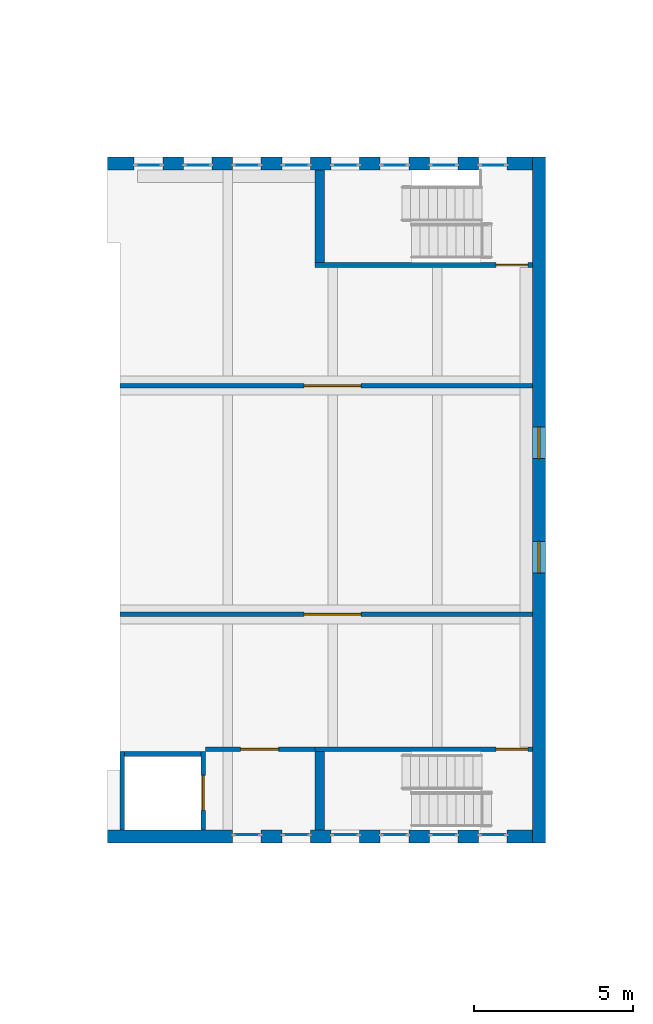
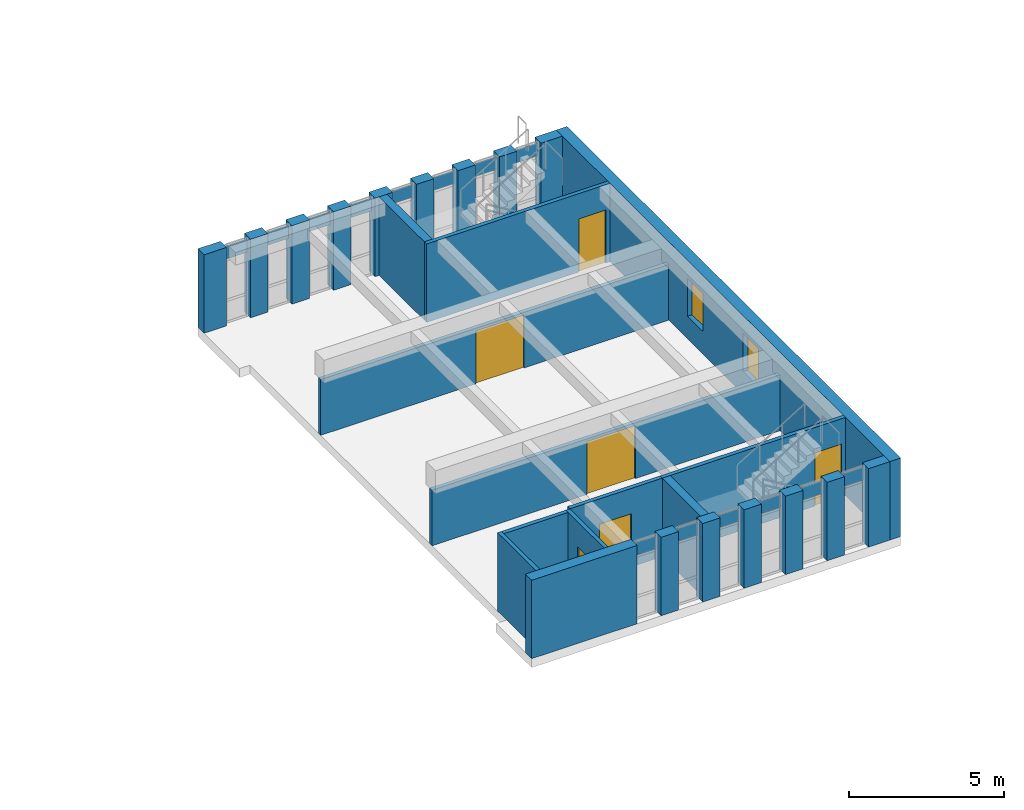
# One storey, part 14 of 19: 27 walls, 14 plates, 6 doors, 2 windows, 8 openings, 14 elements without a shape of their own.
"""IFC4 building model written with IfcOpenShell, lengths in metres."""

from ifc_helpers import new_model, si_unit, direction, frame, frame_2d, origin, origin_2d, place, context, subcontext, project, spatial, rectangle, extrude, material, layer, layer_set, type_object, element, fill, aggregate, save


model = new_model("IFC4")

# Units and contexts
model_context = context("Model", 3, precision=1e-05, world=origin(), true_north=direction((0.0, 1.0)))
body_context = subcontext(model_context, "Body", "Model", "MODEL_VIEW")
ifc_project = project(units=[si_unit("LENGTHUNIT", "METRE"), si_unit("AREAUNIT", "SQUARE_METRE"), si_unit("VOLUMEUNIT", "CUBIC_METRE"), si_unit("PLANEANGLEUNIT", "RADIAN"), si_unit("MASSUNIT", "GRAM", prefix="KILO")], contexts=[model_context])

# Site, building, storey
site_placement = place(None, origin())
site = spatial("IfcSite", under=ifc_project, at=site_placement, CompositionType="ELEMENT")
building_placement = place(site_placement, origin())
building = spatial("IfcBuilding", under=site, at=building_placement, Name="Vermilion Court Aquatics Centre", CompositionType="ELEMENT")
storey_placement = place(building_placement, frame((0.0, 0.0, 19.89990234375)))
storey = spatial("IfcBuildingStorey", under=building, at=storey_placement, Name="L04", CompositionType="ELEMENT", Elevation=19.89990234375)

# Curtain wall, plate
ifc_material_1 = material(Name="Aluminium 6063-T5", Category="aluminium")
curtain_wall_type = type_object("IfcCurtainWallType", Name="Diving Tower slot curtain wall 900 module", PredefinedType="NOTDEFINED", material=ifc_material_1)
curtain_wall_1_placement = place(storey_placement, origin())
curtain_wall_1 = element("IfcCurtainWall", 1, at=curtain_wall_1_placement, inside=storey, type_object=curtain_wall_type, Name="Diving Tower slot window north 1 L04", PredefinedType="NOTDEFINED")
ifc_material_2 = material(Name="Glazing", Category="glass")
ifc_layer_1 = layer(ifc_material_2, 0.02392578125)
ifc_layer_set_1 = layer_set([ifc_layer_1], Name="Diving Tower slot glazing panel 24")
plate_type = type_object("IfcPlateType", Name="Diving Tower slot glazing panel 24", PredefinedType="CURTAIN_PANEL", material=ifc_layer_set_1)
plate_1_placement = place(storey_placement, frame((145.39990234375, 57.35009765625, 2.5302734375), z_axis=(0.0, 0.0, 1.0), x_axis=(1.0, 0.0, 0.0)))
plate_1 = element("IfcPlate", 2, at=plate_1_placement, type_object=plate_type, Name="UCW3 panel 1.3", PredefinedType="CURTAIN_PANEL", context=body_context, shape_type="SweptSolid", body=[
    extrude(rectangle(XDim=0.780029296875, YDim=0.028076171875, at=origin_2d()), origin(), (0.0, 0.0, 1.0), 0.510009765625),
])
aggregate(curtain_wall_1, [plate_1])

curtain_wall_2_placement = place(storey_placement, origin())
curtain_wall_2 = element("IfcCurtainWall", 3, at=curtain_wall_2_placement, inside=storey, type_object=curtain_wall_type, Name="Diving Tower slot window north 2 L04", PredefinedType="NOTDEFINED")
plate_2_placement = place(storey_placement, frame((146.949951171875, 57.35009765625, 2.5302734375), z_axis=(0.0, 0.0, 1.0), x_axis=(1.0, 0.0, 0.0)))
plate_2 = element("IfcPlate", 4, at=plate_2_placement, type_object=plate_type, Name="UCW3 panel 1.3", PredefinedType="CURTAIN_PANEL", context=body_context, shape_type="SweptSolid", body=[
    extrude(rectangle(XDim=0.780029296875, YDim=0.028076171875, at=origin_2d()), origin(), (0.0, 0.0, 1.0), 0.510009765625),
])
aggregate(curtain_wall_2, [plate_2])

curtain_wall_3_placement = place(storey_placement, origin())
curtain_wall_3 = element("IfcCurtainWall", 5, at=curtain_wall_3_placement, inside=storey, type_object=curtain_wall_type, Name="Diving Tower slot window north 3 L04", PredefinedType="NOTDEFINED")
plate_3_placement = place(storey_placement, frame((148.5, 57.35009765625, 2.5302734375), z_axis=(0.0, 0.0, 1.0), x_axis=(1.0, 0.0, 0.0)))
plate_3 = element("IfcPlate", 6, at=plate_3_placement, type_object=plate_type, Name="UCW3 panel 1.3", PredefinedType="CURTAIN_PANEL", context=body_context, shape_type="SweptSolid", body=[
    extrude(rectangle(XDim=0.780029296875, YDim=0.028076171875, at=origin_2d()), origin(), (0.0, 0.0, 1.0), 0.510009765625),
])
aggregate(curtain_wall_3, [plate_3])

curtain_wall_4_placement = place(storey_placement, origin())
curtain_wall_4 = element("IfcCurtainWall", 7, at=curtain_wall_4_placement, inside=storey, type_object=curtain_wall_type, Name="Diving Tower slot window north 4 L04", PredefinedType="NOTDEFINED")
plate_4_placement = place(storey_placement, frame((150.050048828125, 57.35009765625, 2.5302734375), z_axis=(0.0, 0.0, 1.0), x_axis=(1.0, 0.0, 0.0)))
plate_4 = element("IfcPlate", 8, at=plate_4_placement, type_object=plate_type, Name="UCW3 panel 1.3", PredefinedType="CURTAIN_PANEL", context=body_context, shape_type="SweptSolid", body=[
    extrude(rectangle(XDim=0.780029296875, YDim=0.028076171875, at=origin_2d()), origin(), (0.0, 0.0, 1.0), 0.510009765625),
])
aggregate(curtain_wall_4, [plate_4])

curtain_wall_5_placement = place(storey_placement, origin())
curtain_wall_5 = element("IfcCurtainWall", 9, at=curtain_wall_5_placement, inside=storey, type_object=curtain_wall_type, Name="Diving Tower slot window north 5 L04", PredefinedType="NOTDEFINED")
plate_5_placement = place(storey_placement, frame((151.60009765625, 57.35009765625, 2.5302734375), z_axis=(0.0, 0.0, 1.0), x_axis=(1.0, 0.0, 0.0)))
plate_5 = element("IfcPlate", 10, at=plate_5_placement, type_object=plate_type, Name="UCW3 panel 1.3", PredefinedType="CURTAIN_PANEL", context=body_context, shape_type="SweptSolid", body=[
    extrude(rectangle(XDim=0.780029296875, YDim=0.028076171875, at=origin_2d()), origin(), (0.0, 0.0, 1.0), 0.510009765625),
])
aggregate(curtain_wall_5, [plate_5])

curtain_wall_6_placement = place(storey_placement, origin())
curtain_wall_6 = element("IfcCurtainWall", 11, at=curtain_wall_6_placement, inside=storey, type_object=curtain_wall_type, Name="Diving Tower slot window north 6 L04", PredefinedType="NOTDEFINED")
plate_6_placement = place(storey_placement, frame((153.14990234375, 57.35009765625, 2.5302734375), z_axis=(0.0, 0.0, 1.0), x_axis=(1.0, 0.0, 0.0)))
plate_6 = element("IfcPlate", 12, at=plate_6_placement, type_object=plate_type, Name="UCW3 panel 1.3", PredefinedType="CURTAIN_PANEL", context=body_context, shape_type="SweptSolid", body=[
    extrude(rectangle(XDim=0.780029296875, YDim=0.028076171875, at=origin_2d()), origin(), (0.0, 0.0, 1.0), 0.510009765625),
])
aggregate(curtain_wall_6, [plate_6])

curtain_wall_7_placement = place(storey_placement, origin())
curtain_wall_7 = element("IfcCurtainWall", 13, at=curtain_wall_7_placement, inside=storey, type_object=curtain_wall_type, Name="Diving Tower slot window north 7 L04", PredefinedType="NOTDEFINED")
plate_7_placement = place(storey_placement, frame((154.699951171875, 57.35009765625, 2.5302734375), z_axis=(0.0, 0.0, 1.0), x_axis=(1.0, 0.0, 0.0)))
plate_7 = element("IfcPlate", 14, at=plate_7_placement, type_object=plate_type, Name="UCW3 panel 1.3", PredefinedType="CURTAIN_PANEL", context=body_context, shape_type="SweptSolid", body=[
    extrude(rectangle(XDim=0.780029296875, YDim=0.028076171875, at=origin_2d()), origin(), (0.0, 0.0, 1.0), 0.510009765625),
])
aggregate(curtain_wall_7, [plate_7])

curtain_wall_8_placement = place(storey_placement, origin())
curtain_wall_8 = element("IfcCurtainWall", 15, at=curtain_wall_8_placement, inside=storey, type_object=curtain_wall_type, Name="Diving Tower slot window north 8 L04", PredefinedType="NOTDEFINED")
plate_8_placement = place(storey_placement, frame((156.25, 57.35009765625, 2.5302734375), z_axis=(0.0, 0.0, 1.0), x_axis=(1.0, 0.0, 0.0)))
plate_8 = element("IfcPlate", 16, at=plate_8_placement, type_object=plate_type, Name="UCW3 panel 1.3", PredefinedType="CURTAIN_PANEL", context=body_context, shape_type="SweptSolid", body=[
    extrude(rectangle(XDim=0.780029296875, YDim=0.028076171875, at=origin_2d()), origin(), (0.0, 0.0, 1.0), 0.510009765625),
])
aggregate(curtain_wall_8, [plate_8])

curtain_wall_9_placement = place(storey_placement, origin())
curtain_wall_9 = element("IfcCurtainWall", 17, at=curtain_wall_9_placement, inside=storey, type_object=curtain_wall_type, Name="Diving Tower slot window south 1 L04", PredefinedType="NOTDEFINED")
plate_9_placement = place(storey_placement, frame((148.5, 36.25, 2.5302734375), z_axis=(0.0, 0.0, 1.0), x_axis=(1.0, 0.0, 0.0)))
plate_9 = element("IfcPlate", 18, at=plate_9_placement, type_object=plate_type, Name="UCW3 panel 1.3", PredefinedType="CURTAIN_PANEL", context=body_context, shape_type="SweptSolid", body=[
    extrude(rectangle(XDim=0.780029296875, YDim=0.028076171875, at=origin_2d()), origin(), (0.0, 0.0, 1.0), 0.510009765625),
])
aggregate(curtain_wall_9, [plate_9])

curtain_wall_10_placement = place(storey_placement, origin())
curtain_wall_10 = element("IfcCurtainWall", 19, at=curtain_wall_10_placement, inside=storey, type_object=curtain_wall_type, Name="Diving Tower slot window south 2 L04", PredefinedType="NOTDEFINED")
plate_10_placement = place(storey_placement, frame((150.050048828125, 36.25, 2.5302734375), z_axis=(0.0, 0.0, 1.0), x_axis=(1.0, 0.0, 0.0)))
plate_10 = element("IfcPlate", 20, at=plate_10_placement, type_object=plate_type, Name="UCW3 panel 1.3", PredefinedType="CURTAIN_PANEL", context=body_context, shape_type="SweptSolid", body=[
    extrude(rectangle(XDim=0.780029296875, YDim=0.028076171875, at=origin_2d()), origin(), (0.0, 0.0, 1.0), 0.510009765625),
])
aggregate(curtain_wall_10, [plate_10])

curtain_wall_11_placement = place(storey_placement, origin())
curtain_wall_11 = element("IfcCurtainWall", 21, at=curtain_wall_11_placement, inside=storey, type_object=curtain_wall_type, Name="Diving Tower slot window south 3 L04", PredefinedType="NOTDEFINED")
plate_11_placement = place(storey_placement, frame((151.60009765625, 36.25, 2.5302734375), z_axis=(0.0, 0.0, 1.0), x_axis=(1.0, 0.0, 0.0)))
plate_11 = element("IfcPlate", 22, at=plate_11_placement, type_object=plate_type, Name="UCW3 panel 1.3", PredefinedType="CURTAIN_PANEL", context=body_context, shape_type="SweptSolid", body=[
    extrude(rectangle(XDim=0.780029296875, YDim=0.028076171875, at=origin_2d()), origin(), (0.0, 0.0, 1.0), 0.510009765625),
])
aggregate(curtain_wall_11, [plate_11])

curtain_wall_12_placement = place(storey_placement, origin())
curtain_wall_12 = element("IfcCurtainWall", 23, at=curtain_wall_12_placement, inside=storey, type_object=curtain_wall_type, Name="Diving Tower slot window south 4 L04", PredefinedType="NOTDEFINED")
plate_12_placement = place(storey_placement, frame((153.14990234375, 36.25, 2.5302734375), z_axis=(0.0, 0.0, 1.0), x_axis=(1.0, 0.0, 0.0)))
plate_12 = element("IfcPlate", 24, at=plate_12_placement, type_object=plate_type, Name="UCW3 panel 1.3", PredefinedType="CURTAIN_PANEL", context=body_context, shape_type="SweptSolid", body=[
    extrude(rectangle(XDim=0.780029296875, YDim=0.028076171875, at=origin_2d()), origin(), (0.0, 0.0, 1.0), 0.510009765625),
])
aggregate(curtain_wall_12, [plate_12])

curtain_wall_13_placement = place(storey_placement, origin())
curtain_wall_13 = element("IfcCurtainWall", 25, at=curtain_wall_13_placement, inside=storey, type_object=curtain_wall_type, Name="Diving Tower slot window south 5 L04", PredefinedType="NOTDEFINED")
plate_13_placement = place(storey_placement, frame((154.699951171875, 36.25, 2.5302734375), z_axis=(0.0, 0.0, 1.0), x_axis=(1.0, 0.0, 0.0)))
plate_13 = element("IfcPlate", 26, at=plate_13_placement, type_object=plate_type, Name="UCW3 panel 1.3", PredefinedType="CURTAIN_PANEL", context=body_context, shape_type="SweptSolid", body=[
    extrude(rectangle(XDim=0.780029296875, YDim=0.028076171875, at=origin_2d()), origin(), (0.0, 0.0, 1.0), 0.510009765625),
])
aggregate(curtain_wall_13, [plate_13])

curtain_wall_14_placement = place(storey_placement, origin())
curtain_wall_14 = element("IfcCurtainWall", 27, at=curtain_wall_14_placement, inside=storey, type_object=curtain_wall_type, Name="Diving Tower slot window south 6 L04", PredefinedType="NOTDEFINED")
plate_14_placement = place(storey_placement, frame((156.25, 36.25, 2.5302734375), z_axis=(0.0, 0.0, 1.0), x_axis=(1.0, 0.0, 0.0)))
plate_14 = element("IfcPlate", 28, at=plate_14_placement, type_object=plate_type, Name="UCW3 panel 1.3", PredefinedType="CURTAIN_PANEL", context=body_context, shape_type="SweptSolid", body=[
    extrude(rectangle(XDim=0.780029296875, YDim=0.028076171875, at=origin_2d()), origin(), (0.0, 0.0, 1.0), 0.510009765625),
])
aggregate(curtain_wall_14, [plate_14])

# Wall
ifc_material_3 = material(Name="Concrete 5000 psi", Category="concrete")
ifc_layer_2 = layer(ifc_material_3, 0.14990234375)
ifc_layer_set_2 = layer_set([ifc_layer_2], Name="Diving Tower lift shaft wall 150")
wall_type_1 = type_object("IfcWallType", Name="Diving Tower lift shaft wall 150", PredefinedType="PARTITIONING", material=ifc_layer_set_2)
wall_1_placement = place(storey_placement, frame((144.574951171875, 36.39990234375, 0.0), z_axis=(0.0, 0.0, 1.0), x_axis=(0.0, 1.0, 0.0)))
element("IfcWall", 29, at=wall_1_placement, inside=storey, type_object=wall_type_1, Name="Diving Tower lift shaft wall west L04", PredefinedType="PARTITIONING", context=body_context, shape_type="SweptSolid", body=[
    extrude(rectangle(XDim=2.47509765625, YDim=0.14990234375, at=frame_2d((1.237548828125, 0.0))), origin(), (0.0, 0.0, 1.0), 3.10009765625),
])

# Wall, opening, door
wall_2_placement = place(storey_placement, frame((147.125, 36.39990234375, 0.0), z_axis=(0.0, 0.0, 1.0), x_axis=(0.0, 1.0, 0.0)))
wall_2 = element("IfcWall", 30, at=wall_2_placement, inside=storey, type_object=wall_type_1, Name="Diving Tower lift shaft wall front L04", PredefinedType="PARTITIONING", context=body_context, shape_type="SweptSolid", body=[
    extrude(rectangle(XDim=2.47509765625, YDim=0.14990234375, at=frame_2d((1.237548828125, 0.0))), origin(), (0.0, 0.0, 1.0), 3.10009765625),
])
opening_1_placement = place(wall_2_placement, frame((0.625, 0.0, 0.0)))
opening_1 = element("IfcOpeningElement", 31, at=opening_1_placement, cuts=wall_2, Name="Opening LD5-04", PredefinedType="OPENING", context=body_context, shape_type="SweptSolid", body=[
    extrude(rectangle(XDim=1.10009765625, YDim=2.10009765625, at=frame_2d((0.550048828125, 1.050048828125))), frame((0.0, 0.0849609375, 0.0), z_axis=(0.0, -1.0, 0.0), x_axis=(1.0, 0.0, 0.0)), (0.0, 0.0, 1.0), 0.169921875),
])
ifc_material_4 = material(Name="Hollow metal")
door_type_1 = type_object("IfcDoorType", Name="Diving Tower lift landing door 1100x2100", OperationType="DOUBLE_DOOR_SLIDING", PredefinedType="DOOR", material=ifc_material_4)
door_1_placement = place(opening_1_placement, origin())
door_1 = element("IfcDoor", 32, at=door_1_placement, inside=storey, type_object=door_type_1, Name="Lift landing door L5 L04", OperationType="DOUBLE_DOOR_SLIDING", OverallHeight=2.10009765625, OverallWidth=1.10009765625, PredefinedType="DOOR", context=body_context, shape_type="SweptSolid", body=[
    extrude(rectangle(XDim=1.10009765625, YDim=2.10009765625, at=frame_2d((0.550048828125, 1.050048828125))), frame((0.0, 0.02490234375, 0.0), z_axis=(0.0, -1.0, 0.0), x_axis=(1.0, 0.0, 0.0)), (0.0, 0.0, 1.0), 0.050048828125),
])
fill(opening_1, door_1)

# Wall
wall_3_placement = place(storey_placement, frame((144.64990234375, 38.800048828125, 0.0), z_axis=(0.0, 0.0, 1.0), x_axis=(1.0, 0.0, 0.0)))
element("IfcWall", 33, at=wall_3_placement, inside=storey, type_object=wall_type_1, Name="Diving Tower lift shaft wall north L04", PredefinedType="PARTITIONING", context=body_context, shape_type="SweptSolid", body=[
    extrude(rectangle(XDim=2.550048828125, YDim=0.14990234375, at=frame_2d((1.27490234375, 0.0))), origin(), (0.0, 0.0, 1.0), 3.10009765625),
])

# Wall, opening, door
ifc_material_5 = material(Name="Concrete masonry ASTM C90 Type I", Category="masonry")
ifc_layer_3 = layer(ifc_material_5, 0.14990234375)
ifc_layer_set_3 = layer_set([ifc_layer_3], Name="Diving Tower partition 150")
wall_type_2 = type_object("IfcWallType", Name="Diving Tower partition 150", PredefinedType="PARTITIONING", material=ifc_layer_set_3)
wall_4_placement = place(storey_placement, frame((144.5, 43.199951171875, 0.0), z_axis=(0.0, 0.0, 1.0), x_axis=(1.0, 0.0, 0.0)))
wall_4 = element("IfcWall", 34, at=wall_4_placement, inside=storey, type_object=wall_type_2, Name="Diving Tower partition y43.2 L04", PredefinedType="PARTITIONING", context=body_context, shape_type="SweptSolid", body=[
    extrude(rectangle(XDim=13.0, YDim=0.14990234375, at=frame_2d((6.5, 0.0))), origin(), (0.0, 0.0, 1.0), 2.2001953125),
])
opening_2_placement = place(wall_4_placement, frame((5.800048828125, 0.0, 0.0)))
opening_2 = element("IfcOpeningElement", 35, at=opening_2_placement, cuts=wall_4, Name="Opening U04-023", PredefinedType="OPENING", context=body_context, shape_type="SweptSolid", body=[
    extrude(rectangle(XDim=1.800048828125, YDim=2.10009765625, at=frame_2d((0.89990234375, 1.050048828125))), frame((0.0, 0.0849609375, 0.0), z_axis=(0.0, -1.0, 0.0), x_axis=(1.0, 0.0, 0.0)), (0.0, 0.0, 1.0), 0.169921875),
])
ifc_material_6 = material(Name="Timber door leaf", Category="wood")
door_type_2 = type_object("IfcDoorType", Name="Diving Tower double door FD20 1800x2100", OperationType="DOUBLE_DOOR_SINGLE_SWING", PredefinedType="DOOR", material=ifc_material_6)
door_2_placement = place(opening_2_placement, frame((1.800048828125, 0.0, 0.0), z_axis=(0.0, 0.0, 1.0), x_axis=(-1.0, 0.0, 0.0)))
door_2 = element("IfcDoor", 36, at=door_2_placement, inside=storey, type_object=door_type_2, Name="Viewing Gallery south double door L04", OperationType="DOUBLE_DOOR_SINGLE_SWING", OverallHeight=2.10009765625, OverallWidth=1.800048828125, PredefinedType="DOOR", context=body_context, shape_type="SweptSolid", body=[
    extrude(rectangle(XDim=1.800048828125, YDim=2.10009765625, at=frame_2d((0.900146484375, 1.050048828125))), frame((0.0, 0.025146484375, 0.0), z_axis=(0.0, -1.0, 0.0), x_axis=(1.0, 0.0, 0.0)), (0.0, 0.0, 1.0), 0.050048828125),
])
fill(opening_2, door_2)

wall_5_placement = place(storey_placement, frame((144.5, 50.39990234375, 0.0), z_axis=(0.0, 0.0, 1.0), x_axis=(1.0, 0.0, 0.0)))
wall_5 = element("IfcWall", 37, at=wall_5_placement, inside=storey, type_object=wall_type_2, Name="Diving Tower partition y50.4 L04", PredefinedType="PARTITIONING", context=body_context, shape_type="SweptSolid", body=[
    extrude(rectangle(XDim=13.0, YDim=0.14990234375, at=frame_2d((6.5, 0.0))), origin(), (0.0, 0.0, 1.0), 2.2001953125),
])
opening_3_placement = place(wall_5_placement, frame((5.800048828125, 0.0, 0.0)))
opening_3 = element("IfcOpeningElement", 38, at=opening_3_placement, cuts=wall_5, Name="Opening U04-024", PredefinedType="OPENING", context=body_context, shape_type="SweptSolid", body=[
    extrude(rectangle(XDim=1.800048828125, YDim=2.10009765625, at=frame_2d((0.89990234375, 1.050048828125))), frame((0.0, 0.0849609375, 0.0), z_axis=(0.0, -1.0, 0.0), x_axis=(1.0, 0.0, 0.0)), (0.0, 0.0, 1.0), 0.169921875),
])
door_3_placement = place(opening_3_placement, origin())
door_3 = element("IfcDoor", 39, at=door_3_placement, inside=storey, type_object=door_type_2, Name="Viewing Gallery north double door L04", OperationType="DOUBLE_DOOR_SINGLE_SWING", OverallHeight=2.10009765625, OverallWidth=1.800048828125, PredefinedType="DOOR", context=body_context, shape_type="SweptSolid", body=[
    extrude(rectangle(XDim=1.800048828125, YDim=2.10009765625, at=frame_2d((0.89990234375, 1.050048828125))), frame((0.0, 0.02490234375, 0.0), z_axis=(0.0, -1.0, 0.0), x_axis=(1.0, 0.0, 0.0)), (0.0, 0.0, 1.0), 0.050048828125),
])
fill(opening_3, door_3)

# Wall, openings, windows
ifc_material_7 = material(Name="Concrete 8000 psi", Category="concrete")
ifc_layer_4 = layer(ifc_material_7, 0.39990234375)
ifc_layer_set_4 = layer_set([ifc_layer_4], Name="Diving Tower shell wall 400")
wall_type_3 = type_object("IfcWallType", Name="Diving Tower shell wall 400", PredefinedType="SHEAR", material=ifc_layer_set_4)
wall_6_placement = place(storey_placement, frame((157.699951171875, 36.0, 0.0), z_axis=(0.0, 0.0, 1.0), x_axis=(0.0, 1.0, 0.0)))
wall_6 = element("IfcWall", 40, at=wall_6_placement, inside=storey, type_object=wall_type_3, Name="Diving Tower shell wall east L04", PredefinedType="SHEAR", context=body_context, shape_type="SweptSolid", body=[
    extrude(rectangle(XDim=21.60009765625, YDim=0.39990234375, at=frame_2d((10.800048828125, 0.0))), origin(), (0.0, 0.0, 1.0), 3.10009765625),
])
opening_4_placement = place(wall_6_placement, frame((8.5, 0.0, 0.89990234375)))
opening_4 = element("IfcOpeningElement", 41, at=opening_4_placement, cuts=wall_6, Name="Opening UWN12", PredefinedType="OPENING", context=body_context, shape_type="SweptSolid", body=[
    extrude(rectangle(XDim=1.0, YDim=1.5, at=frame_2d((0.5, 0.75))), frame((0.0, 0.2099609375, 0.0), z_axis=(0.0, -1.0, 0.0), x_axis=(1.0, 0.0, 0.0)), (0.0, 0.0, 1.0), 0.419921875),
])
opening_5_placement = place(wall_6_placement, frame((12.10009765625, 0.0, 0.89990234375)))
opening_5 = element("IfcOpeningElement", 42, at=opening_5_placement, cuts=wall_6, Name="Opening UWN12", PredefinedType="OPENING", context=body_context, shape_type="SweptSolid", body=[
    extrude(rectangle(XDim=1.0, YDim=1.5, at=frame_2d((0.5, 0.75))), frame((0.0, 0.2099609375, 0.0), z_axis=(0.0, -1.0, 0.0), x_axis=(1.0, 0.0, 0.0)), (0.0, 0.0, 1.0), 0.419921875),
])
ifc_material_8 = material(Name="Aluminium 6063-T5", Category="aluminium")
window_type = type_object("IfcWindowType", Name="Diving Tower deep-set window 1000x1500", PartitioningType="SINGLE_PANEL", PredefinedType="WINDOW", material=ifc_material_8)
window_1_placement = place(opening_4_placement, origin())
window_1 = element("IfcWindow", 43, at=window_1_placement, inside=storey, type_object=window_type, Name="Diving Tower window east 1 L04", OverallHeight=1.5, OverallWidth=1.0, PartitioningType="SINGLE_PANEL", PredefinedType="WINDOW", context=body_context, shape_type="SweptSolid", body=[
    extrude(rectangle(XDim=1.0, YDim=1.5, at=frame_2d((0.5, 0.75))), frame((0.0, 0.030029296875, 0.0), z_axis=(0.0, -1.0, 0.0), x_axis=(1.0, 0.0, 0.0)), (0.0, 0.0, 1.0), 0.06005859375),
])
fill(opening_4, window_1)
window_2_placement = place(opening_5_placement, origin())
window_2 = element("IfcWindow", 44, at=window_2_placement, inside=storey, type_object=window_type, Name="Diving Tower window east 2 L04", OverallHeight=1.5, OverallWidth=1.0, PartitioningType="SINGLE_PANEL", PredefinedType="WINDOW", context=body_context, shape_type="SweptSolid", body=[
    extrude(rectangle(XDim=1.0, YDim=1.5, at=frame_2d((0.5, 0.75))), frame((0.0, 0.030029296875, 0.0), z_axis=(0.0, -1.0, 0.0), x_axis=(1.0, 0.0, 0.0)), (0.0, 0.0, 1.0), 0.06005859375),
])
fill(opening_5, window_2)

# Walls
ifc_material_9 = material(Name="Brick masonry", Category="masonry")
ifc_layer_5 = layer(ifc_material_9, 0.39990234375)
ifc_layer_set_5 = layer_set([ifc_layer_5], Name="Diving Tower slot pier wall 400")
wall_type_4 = type_object("IfcWallType", Name="Diving Tower slot pier wall 400", PredefinedType="SOLIDWALL", material=ifc_layer_set_5)
wall_7_placement = place(storey_placement, frame((144.110107421875, 36.199951171875, 0.0), z_axis=(0.0, 0.0, 1.0), x_axis=(1.0, 0.0, 0.0)))
element("IfcWall", 45, at=wall_7_placement, inside=storey, type_object=wall_type_4, Name="Diving Tower slot pier S1 L04", PredefinedType="SOLIDWALL", context=body_context, shape_type="SweptSolid", body=[
    extrude(rectangle(XDim=3.93994140625, YDim=0.39990234375, at=frame_2d((1.969970703125, 0.0))), origin(), (0.0, 0.0, 1.0), 3.10009765625),
])
wall_8_placement = place(storey_placement, frame((148.949951171875, 36.199951171875, 0.0), z_axis=(0.0, 0.0, 1.0), x_axis=(1.0, 0.0, 0.0)))
element("IfcWall", 46, at=wall_8_placement, inside=storey, type_object=wall_type_4, Name="Diving Tower slot pier S2 L04", PredefinedType="SOLIDWALL", context=body_context, shape_type="SweptSolid", body=[
    extrude(rectangle(XDim=0.650146484375, YDim=0.39990234375, at=frame_2d((0.3251953125, 0.0))), origin(), (0.0, 0.0, 1.0), 3.10009765625),
])
for number, where, z_axis, x_axis, name in (
    (47, (150.5, 36.199951171875, 0.0), (0.0, 0.0, 1.0), (1.0, 0.0, 0.0), "Diving Tower slot pier S3 L04"),
    (48, (152.050048828125, 36.199951171875, 0.0), (0.0, 0.0, 1.0), (1.0, 0.0, 0.0), "Diving Tower slot pier S4 L04"),
    (49, (153.60009765625, 36.199951171875, 0.0), (0.0, 0.0, 1.0), (1.0, 0.0, 0.0), "Diving Tower slot pier S5 L04"),
):
    element("IfcWall", number, at=place(storey_placement, frame(where, z_axis=z_axis, x_axis=x_axis)), inside=storey, type_object=wall_type_4, Name=name, PredefinedType="SOLIDWALL", context=body_context, shape_type="SweptSolid", body=[
        extrude(rectangle(XDim=0.64990234375, YDim=0.39990234375, at=frame_2d((0.324951171875, 0.0))), origin(), (0.0, 0.0, 1.0), 3.10009765625),
    ])
wall_9_placement = place(storey_placement, frame((155.14990234375, 36.199951171875, 0.0), z_axis=(0.0, 0.0, 1.0), x_axis=(1.0, 0.0, 0.0)))
element("IfcWall", 50, at=wall_9_placement, inside=storey, type_object=wall_type_4, Name="Diving Tower slot pier S6 L04", PredefinedType="SOLIDWALL", context=body_context, shape_type="SweptSolid", body=[
    extrude(rectangle(XDim=0.650146484375, YDim=0.39990234375, at=frame_2d((0.3251953125, 0.0))), origin(), (0.0, 0.0, 1.0), 3.10009765625),
])
wall_10_placement = place(storey_placement, frame((156.699951171875, 36.199951171875, 0.0), z_axis=(0.0, 0.0, 1.0), x_axis=(1.0, 0.0, 0.0)))
element("IfcWall", 51, at=wall_10_placement, inside=storey, type_object=wall_type_4, Name="Diving Tower slot pier S7 L04", PredefinedType="SOLIDWALL", context=body_context, shape_type="SweptSolid", body=[
    extrude(rectangle(XDim=0.800048828125, YDim=0.39990234375, at=frame_2d((0.39990234375, 0.0))), origin(), (0.0, 0.0, 1.0), 3.10009765625),
])
wall_11_placement = place(storey_placement, frame((144.110107421875, 57.39990234375, 0.0), z_axis=(0.0, 0.0, 1.0), x_axis=(1.0, 0.0, 0.0)))
element("IfcWall", 52, at=wall_11_placement, inside=storey, type_object=wall_type_4, Name="Diving Tower slot pier N1 L04", PredefinedType="SOLIDWALL", context=body_context, shape_type="SweptSolid", body=[
    extrude(rectangle(XDim=0.83984375, YDim=0.39990234375, at=frame_2d((0.419921875, 0.0))), origin(), (0.0, 0.0, 1.0), 3.10009765625),
])
wall_12_placement = place(storey_placement, frame((145.85009765625, 57.39990234375, 0.0), z_axis=(0.0, 0.0, 1.0), x_axis=(1.0, 0.0, 0.0)))
element("IfcWall", 53, at=wall_12_placement, inside=storey, type_object=wall_type_4, Name="Diving Tower slot pier N2 L04", PredefinedType="SOLIDWALL", context=body_context, shape_type="SweptSolid", body=[
    extrude(rectangle(XDim=0.64990234375, YDim=0.39990234375, at=frame_2d((0.324951171875, 0.0))), origin(), (0.0, 0.0, 1.0), 3.10009765625),
])
for number, where, z_axis, x_axis, name in (
    (54, (147.39990234375, 57.39990234375, 0.0), (0.0, 0.0, 1.0), (1.0, 0.0, 0.0), "Diving Tower slot pier N3 L04"),
    (55, (148.949951171875, 57.39990234375, 0.0), (0.0, 0.0, 1.0), (1.0, 0.0, 0.0), "Diving Tower slot pier N4 L04"),
):
    element("IfcWall", number, at=place(storey_placement, frame(where, z_axis=z_axis, x_axis=x_axis)), inside=storey, type_object=wall_type_4, Name=name, PredefinedType="SOLIDWALL", context=body_context, shape_type="SweptSolid", body=[
        extrude(rectangle(XDim=0.650146484375, YDim=0.39990234375, at=frame_2d((0.3251953125, 0.0))), origin(), (0.0, 0.0, 1.0), 3.10009765625),
    ])
for number, where, z_axis, x_axis, name in (
    (56, (150.5, 57.39990234375, 0.0), (0.0, 0.0, 1.0), (1.0, 0.0, 0.0), "Diving Tower slot pier N5 L04"),
    (57, (152.050048828125, 57.39990234375, 0.0), (0.0, 0.0, 1.0), (1.0, 0.0, 0.0), "Diving Tower slot pier N6 L04"),
    (58, (153.60009765625, 57.39990234375, 0.0), (0.0, 0.0, 1.0), (1.0, 0.0, 0.0), "Diving Tower slot pier N7 L04"),
):
    element("IfcWall", number, at=place(storey_placement, frame(where, z_axis=z_axis, x_axis=x_axis)), inside=storey, type_object=wall_type_4, Name=name, PredefinedType="SOLIDWALL", context=body_context, shape_type="SweptSolid", body=[
        extrude(rectangle(XDim=0.64990234375, YDim=0.39990234375, at=frame_2d((0.324951171875, 0.0))), origin(), (0.0, 0.0, 1.0), 3.10009765625),
    ])
wall_13_placement = place(storey_placement, frame((155.14990234375, 57.39990234375, 0.0), z_axis=(0.0, 0.0, 1.0), x_axis=(1.0, 0.0, 0.0)))
element("IfcWall", 59, at=wall_13_placement, inside=storey, type_object=wall_type_4, Name="Diving Tower slot pier N8 L04", PredefinedType="SOLIDWALL", context=body_context, shape_type="SweptSolid", body=[
    extrude(rectangle(XDim=0.650146484375, YDim=0.39990234375, at=frame_2d((0.3251953125, 0.0))), origin(), (0.0, 0.0, 1.0), 3.10009765625),
])
wall_14_placement = place(storey_placement, frame((156.699951171875, 57.39990234375, 0.0), z_axis=(0.0, 0.0, 1.0), x_axis=(1.0, 0.0, 0.0)))
element("IfcWall", 60, at=wall_14_placement, inside=storey, type_object=wall_type_4, Name="Diving Tower slot pier N9 L04", PredefinedType="SOLIDWALL", context=body_context, shape_type="SweptSolid", body=[
    extrude(rectangle(XDim=0.800048828125, YDim=0.39990234375, at=frame_2d((0.39990234375, 0.0))), origin(), (0.0, 0.0, 1.0), 3.10009765625),
])

# Wall, opening, door
ifc_material_10 = material(Name="Concrete 5000 psi", Category="concrete")
ifc_layer_6 = layer(ifc_material_10, 0.14990234375)
ifc_layer_set_6 = layer_set([ifc_layer_6], Name="Diving Tower stair lane wall 150")
wall_type_5 = type_object("IfcWallType", Name="Diving Tower stair lane wall 150", PredefinedType="SHEAR", material=ifc_layer_set_6)
wall_15_placement = place(storey_placement, frame((150.64990234375, 38.949951171875, 0.0), z_axis=(0.0, 0.0, 1.0), x_axis=(1.0, 0.0, 0.0)))
wall_15 = element("IfcWall", 61, at=wall_15_placement, inside=storey, type_object=wall_type_5, Name="Diving Tower stair 1 lane wall L04", PredefinedType="SHEAR", context=body_context, shape_type="SweptSolid", body=[
    extrude(rectangle(XDim=6.85009765625, YDim=0.14990234375, at=frame_2d((3.425048828125, 0.0))), origin(), (0.0, 0.0, 1.0), 3.10009765625),
])
opening_6_placement = place(wall_15_placement, frame((5.699951171875, 0.0, 0.0)))
opening_6 = element("IfcOpeningElement", 62, at=opening_6_placement, cuts=wall_15, Name="Opening U04-020", PredefinedType="OPENING", context=body_context, shape_type="SweptSolid", body=[
    extrude(rectangle(XDim=1.0, YDim=2.10009765625, at=frame_2d((0.5, 1.050048828125))), frame((0.0, 0.0849609375, 0.0), z_axis=(0.0, -1.0, 0.0), x_axis=(1.0, 0.0, 0.0)), (0.0, 0.0, 1.0), 0.169921875),
])
ifc_material_11 = material(Name="Hollow metal")
door_type_3 = type_object("IfcDoorType", Name="Diving Tower stair door FD90 1000x2100", OperationType="NOTDEFINED", PredefinedType="DOOR", material=ifc_material_11)
door_4_placement = place(opening_6_placement, frame((1.0, 0.0, 0.0), z_axis=(0.0, 0.0, 1.0), x_axis=(-1.0, 0.0, 0.0)))
door_4 = element("IfcDoor", 63, at=door_4_placement, inside=storey, type_object=door_type_3, Name="Diving Stair 1 door L04", OperationType="SINGLE_SWING_LEFT", OverallHeight=2.10009765625, OverallWidth=1.0, PredefinedType="DOOR", context=body_context, shape_type="SweptSolid", body=[
    extrude(rectangle(XDim=1.0, YDim=2.10009765625, at=frame_2d((0.5, 1.050048828125))), frame((0.0, 0.025146484375, 0.0), z_axis=(0.0, -1.0, 0.0), x_axis=(1.0, 0.0, 0.0)), (0.0, 0.0, 1.0), 0.050048828125),
])
fill(opening_6, door_4)

wall_16_placement = place(storey_placement, frame((150.64990234375, 54.199951171875, 0.0), z_axis=(0.0, 0.0, 1.0), x_axis=(1.0, 0.0, 0.0)))
wall_16 = element("IfcWall", 64, at=wall_16_placement, inside=storey, type_object=wall_type_5, Name="Diving Tower stair 2 lane wall L04", PredefinedType="SHEAR", context=body_context, shape_type="SweptSolid", body=[
    extrude(rectangle(XDim=6.85009765625, YDim=0.14990234375, at=frame_2d((3.425048828125, 0.0))), origin(), (0.0, 0.0, 1.0), 3.10009765625),
])
opening_7_placement = place(wall_16_placement, frame((5.699951171875, 0.0, 0.0)))
opening_7 = element("IfcOpeningElement", 65, at=opening_7_placement, cuts=wall_16, Name="Opening U04-021", PredefinedType="OPENING", context=body_context, shape_type="SweptSolid", body=[
    extrude(rectangle(XDim=1.0, YDim=2.10009765625, at=frame_2d((0.5, 1.050048828125))), frame((0.0, 0.0849609375, 0.0), z_axis=(0.0, -1.0, 0.0), x_axis=(1.0, 0.0, 0.0)), (0.0, 0.0, 1.0), 0.169921875),
])
door_5_placement = place(opening_7_placement, origin())
door_5 = element("IfcDoor", 66, at=door_5_placement, inside=storey, type_object=door_type_3, Name="Diving Stair 2 door L04", OperationType="SINGLE_SWING_RIGHT", OverallHeight=2.10009765625, OverallWidth=1.0, PredefinedType="DOOR", context=body_context, shape_type="SweptSolid", body=[
    extrude(rectangle(XDim=1.0, YDim=2.10009765625, at=frame_2d((0.5, 1.050048828125))), frame((0.0, 0.02490234375, 0.0), z_axis=(0.0, -1.0, 0.0), x_axis=(1.0, 0.0, 0.0)), (0.0, 0.0, 1.0), 0.050048828125),
])
fill(opening_7, door_5)

wall_17_placement = place(storey_placement, frame((147.199951171875, 38.949951171875, 0.0), z_axis=(0.0, 0.0, 1.0), x_axis=(1.0, 0.0, 0.0)))
wall_17 = element("IfcWall", 67, at=wall_17_placement, inside=storey, type_object=wall_type_5, Name="Diving Tower lift lobby wall north L04", PredefinedType="SHEAR", context=body_context, shape_type="SweptSolid", body=[
    extrude(rectangle(XDim=3.449951171875, YDim=0.14990234375, at=frame_2d((1.72509765625, 0.0))), origin(), (0.0, 0.0, 1.0), 3.10009765625),
])
opening_8_placement = place(wall_17_placement, frame((1.10009765625, 0.0, 0.0)))
opening_8 = element("IfcOpeningElement", 68, at=opening_8_placement, cuts=wall_17, Name="Opening U04-022", PredefinedType="OPENING", context=body_context, shape_type="SweptSolid", body=[
    extrude(rectangle(XDim=1.199951171875, YDim=2.10009765625, at=frame_2d((0.60009765625, 1.050048828125))), frame((0.0, 0.0849609375, 0.0), z_axis=(0.0, -1.0, 0.0), x_axis=(1.0, 0.0, 0.0)), (0.0, 0.0, 1.0), 0.169921875),
])
ifc_material_12 = material(Name="Hollow metal")
door_type_4 = type_object("IfcDoorType", Name="Diving Tower lift lobby door FD90 1200x2100", OperationType="SINGLE_SWING_LEFT", PredefinedType="DOOR", material=ifc_material_12)
door_6_placement = place(opening_8_placement, origin())
door_6 = element("IfcDoor", 69, at=door_6_placement, inside=storey, type_object=door_type_4, Name="Diving Tower lift lobby door L04", OperationType="SINGLE_SWING_LEFT", OverallHeight=2.10009765625, OverallWidth=1.199951171875, PredefinedType="DOOR", context=body_context, shape_type="SweptSolid", body=[
    extrude(rectangle(XDim=1.199951171875, YDim=2.10009765625, at=frame_2d((0.60009765625, 1.050048828125))), frame((0.0, 0.02490234375, 0.0), z_axis=(0.0, -1.0, 0.0), x_axis=(1.0, 0.0, 0.0)), (0.0, 0.0, 1.0), 0.050048828125),
])
fill(opening_8, door_6)

# Walls
ifc_material_13 = material(Name="Concrete 8000 psi", Category="concrete")
ifc_layer_7 = layer(ifc_material_13, 0.300048828125)
ifc_layer_set_7 = layer_set([ifc_layer_7], Name="Diving Tower stair wall 300")
wall_type_6 = type_object("IfcWallType", Name="Diving Tower stair wall 300", PredefinedType="SHEAR", material=ifc_layer_set_7)
wall_18_placement = place(storey_placement, frame((150.800048828125, 36.39990234375, 0.0), z_axis=(0.0, 0.0, 1.0), x_axis=(0.0, 1.0, 0.0)))
element("IfcWall", 70, at=wall_18_placement, inside=storey, type_object=wall_type_6, Name="Diving Tower stair 1 west wall L04", PredefinedType="SHEAR", context=body_context, shape_type="SweptSolid", body=[
    extrude(rectangle(XDim=2.47509765625, YDim=0.300048828125, at=frame_2d((1.237548828125, 0.0))), origin(), (0.0, 0.0, 1.0), 3.10009765625),
])
wall_19_placement = place(storey_placement, frame((150.800048828125, 54.27490234375, 0.0), z_axis=(0.0, 0.0, 1.0), x_axis=(0.0, 1.0, 0.0)))
element("IfcWall", 71, at=wall_19_placement, inside=storey, type_object=wall_type_6, Name="Diving Tower stair 2 west wall L04", PredefinedType="SHEAR", context=body_context, shape_type="SweptSolid", body=[
    extrude(rectangle(XDim=2.925048828125, YDim=0.300048828125, at=frame_2d((1.46240234375, 0.0))), origin(), (0.0, 0.0, 1.0), 3.10009765625),
])

save(model, "model.ifc")
